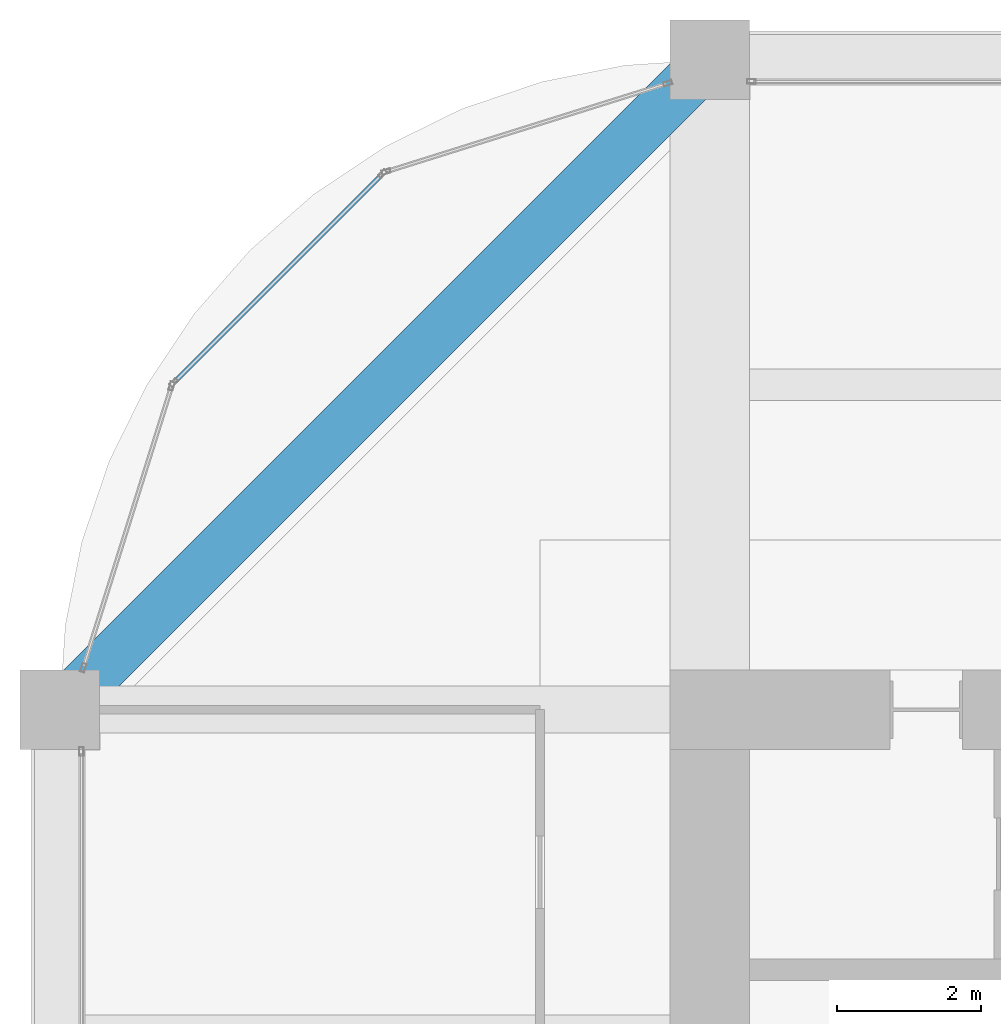
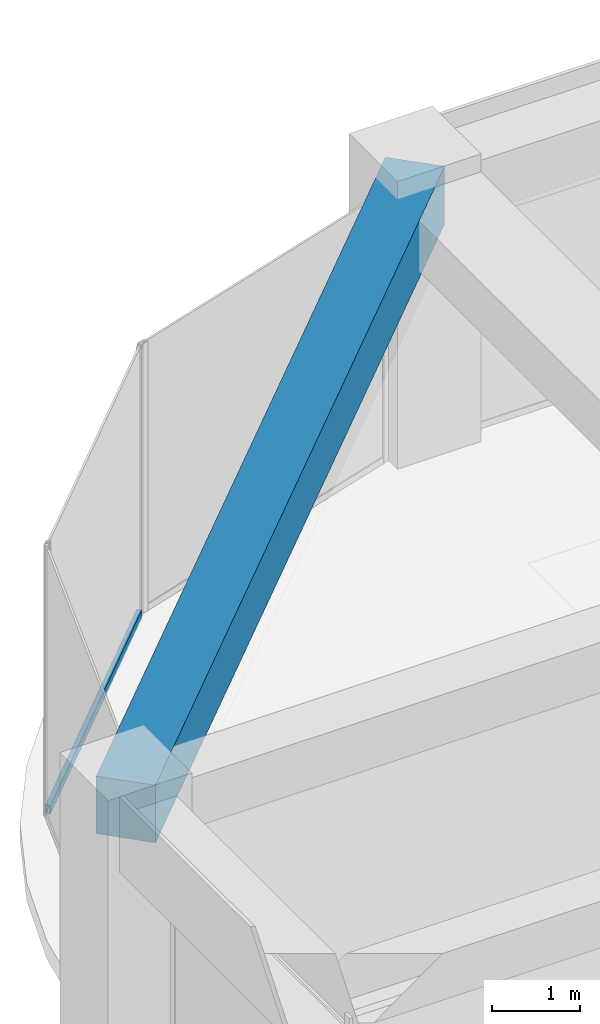
# One storey, part 29 of 44: 1 beam, 1 member, 1 element without a shape of its own.
"""IFC4 building model written with IfcOpenShell, lengths in metres."""

from ifc_helpers import new_model, si_unit, direction, frame, origin, origin_2d, place, context, subcontext, project, spatial, rectangle, hollow_rectangle, extrude, material, material_profile, profile_set, type_object, element, aggregate, save


model = new_model("IFC4")

# Units and contexts
model_context = context("Model", 3, precision=1e-05, world=origin(), true_north=direction((0.0, 1.0)))
body_context = subcontext(model_context, "Body", "Model", "MODEL_VIEW")
ifc_project = project(units=[si_unit("LENGTHUNIT", "METRE"), si_unit("AREAUNIT", "SQUARE_METRE"), si_unit("VOLUMEUNIT", "CUBIC_METRE"), si_unit("PLANEANGLEUNIT", "RADIAN"), si_unit("MASSUNIT", "GRAM", prefix="KILO")], contexts=[model_context])

# Site, building, storey
site_placement = place(None, origin())
site = spatial("IfcSite", under=ifc_project, at=site_placement, CompositionType="ELEMENT")
building_placement = place(site_placement, origin())
building = spatial("IfcBuilding", under=site, at=building_placement, Name="Zorevar Civic Tower", CompositionType="ELEMENT")
storey_placement = place(building_placement, frame((0.0, 0.0, 287.39990234375)))
storey = spatial("IfcBuildingStorey", under=building, at=storey_placement, Name="L70", CompositionType="ELEMENT", Elevation=287.39990234375)

# Curtain wall, member
ifc_material_1 = material(Name="Dark grey solar-control glass in black aluminium frame", Category="aluminium")
curtain_wall_type = type_object("IfcCurtainWallType", Name="Curtain wall CW5 top zone", PredefinedType="NOTDEFINED", material=ifc_material_1)
curtain_wall_placement = place(storey_placement, origin())
curtain_wall = element("IfcCurtainWall", 1, at=curtain_wall_placement, inside=storey, type_object=curtain_wall_type, Name="CW5 L70", PredefinedType="NOTDEFINED")
ifc_material_2 = material(Name="Aluminium, black anodised", Category="aluminium")
ifc_material_profile_1 = material_profile(ifc_material_2, hollow_rectangle(XDim=0.06005859375, YDim=0.1201171875, WallThickness=0.0029296875, at=origin_2d()), Name="AL 120x60x3")
ifc_profile_set_1 = profile_set([ifc_material_profile_1], Name="Aluminium, black anodised")
member_type = type_object("IfcMemberType", Name="CW5 transom AL 120x60x3", PredefinedType="USERDEFINED", material=ifc_profile_set_1)
member_placement = place(storey_placement, frame((13.44970703125, 43.3984375, 0.030029296875), z_axis=(-0.707106781187, -0.707106781187, 0.0), x_axis=(0.707106781187, -0.707106781187, 0.0)))
member = element("IfcMember", 2, at=member_placement, type_object=member_type, Name="CW5 sill transom", ObjectType="TRANSOM", PredefinedType="USERDEFINED", context=body_context, shape_type="SweptSolid", body=[
    extrude(hollow_rectangle(XDim=0.06005859375, YDim=0.1201171875, WallThickness=0.0029296875, at=origin_2d()), origin(), (0.0, 0.0, 1.0), 4.02783203125),
])
aggregate(curtain_wall, [member])

# Beam
ifc_material_3 = material(Name="Concrete C50/60", Category="concrete")
ifc_material_profile_2 = material_profile(ifc_material_3, rectangle(XDim=0.699951171875, YDim=0.800048828125, at=origin_2d()), Name="RC 700x800")
ifc_profile_set_2 = profile_set([ifc_material_profile_2], Name="Concrete C50/60")
beam_type = type_object("IfcBeamType", Name="Edge beam RC 700x800", PredefinedType="SPANDREL", material=ifc_profile_set_2)
beam_placement = place(storey_placement, frame((18.0, 45.0, 3.35009765625), z_axis=(-0.707106781187, -0.707106781187, 0.0), x_axis=(0.707106781187, -0.707106781187, 0.0)))
element("IfcBeam", 3, at=beam_placement, inside=storey, type_object=beam_type, Name="Corner edge beam L71", PredefinedType="SPANDREL", context=body_context, shape_type="SweptSolid", body=[
    extrude(rectangle(XDim=0.699951171875, YDim=0.800048828125, at=origin_2d()), origin(), (0.0, 0.0, 1.0), 12.72802734375),
])

save(model, "model.ifc")
